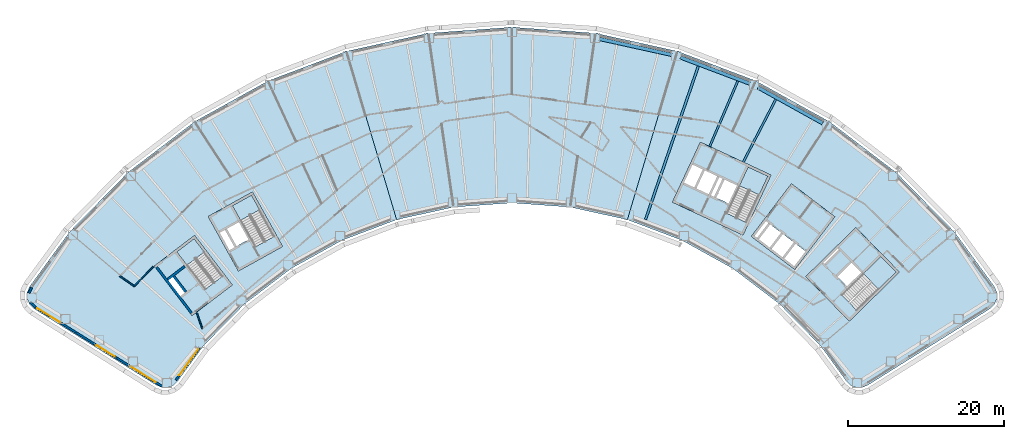
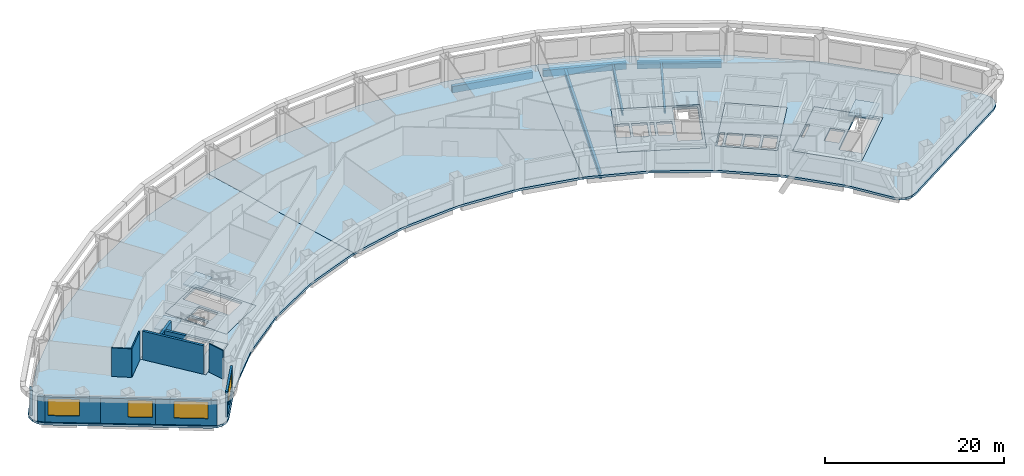
# One storey, part 2 of 10: 12 slabs, 12 walls, 6 beams, 4 windows, 4 openings, 4 elements without a shape of their own.
"""IFC4 building model written with IfcOpenShell, lengths in metres."""

from ifc_helpers import new_model, si_unit, direction, frame, frame_2d, origin, origin_2d, place, context, subcontext, project, spatial, polyline, rectangle, hollow_rectangle, i_section, outline, extrude, material, layer, layer_set, material_profile, profile_set, type_object, element, fill, aggregate, save


model = new_model("IFC4")

# Units and contexts
model_context = context("Model", 3, precision=1e-05, world=origin(), true_north=direction((0.0, 1.0)))
body_context = subcontext(model_context, "Body", "Model", "MODEL_VIEW")
ifc_project = project(units=[si_unit("LENGTHUNIT", "METRE"), si_unit("AREAUNIT", "SQUARE_METRE"), si_unit("VOLUMEUNIT", "CUBIC_METRE"), si_unit("PLANEANGLEUNIT", "RADIAN"), si_unit("MASSUNIT", "GRAM", prefix="KILO")], contexts=[model_context])

# Site, building, storey
site_placement = place(None, origin())
site = spatial("IfcSite", under=ifc_project, at=site_placement, CompositionType="ELEMENT")
building_placement = place(site_placement, origin())
building = spatial("IfcBuilding", under=site, at=building_placement, Name="Tuul Gate Civic Tower", CompositionType="ELEMENT")
storey_placement = place(building_placement, frame((0.0, 0.0, 86.39990234375)))
storey = spatial("IfcBuildingStorey", under=building, at=storey_placement, Name="Level 19", CompositionType="ELEMENT", Elevation=86.39990234375)

# Beams
ifc_material_1 = material(Name="Steel S355", Category="steel")
ifc_material_profile_1 = material_profile(ifc_material_1, i_section(OverallWidth=0.25, OverallDepth=0.64990234375, WebThickness=0.011962890625, FlangeThickness=0.02001953125, at=origin_2d()), Name="PG650x250x12x20")
ifc_profile_set_1 = profile_set([ifc_material_profile_1], Name="Steel S355")
beam_type_1 = type_object("IfcBeamType", Name="STR-FLOOR BEAM-PG650x250x12x20", PredefinedType="BEAM", material=ifc_profile_set_1)
beam_1_placement = place(storey_placement, frame((34.490478515625, 1.98095703125, -0.625), z_axis=(0.460790383982, 0.887508998281, 0.0), x_axis=(-0.887508998281, 0.460790383982, 0.0)))
element("IfcBeam", 1, at=beam_1_placement, inside=storey, type_object=beam_type_1, Name="Floor beam", PredefinedType="BEAM", context=body_context, shape_type="SweptSolid", body=[
    extrude(i_section(OverallWidth=0.25, OverallDepth=0.64990234375, WebThickness=0.011962890625, FlangeThickness=0.02001953125, at=origin_2d()), origin(), (0.0, 0.0, 1.0), 9.064453125),
])
beam_2_placement = place(storey_placement, frame((30.191162109375, 3.98583984375, -0.625), z_axis=(0.394199935174, 0.919024706474, 0.0), x_axis=(-0.919024706474, 0.394199935174, 0.0)))
element("IfcBeam", 2, at=beam_2_placement, inside=storey, type_object=beam_type_1, Name="Floor beam", PredefinedType="BEAM", context=body_context, shape_type="SweptSolid", body=[
    extrude(i_section(OverallWidth=0.25, OverallDepth=0.64990234375, WebThickness=0.011962890625, FlangeThickness=0.02001953125, at=origin_2d()), origin(), (0.0, 0.0, 1.0), 9.1337890625),
])
ifc_material_2 = material(Name="Steel S355", Category="steel")
ifc_material_profile_2 = material_profile(ifc_material_2, i_section(OverallWidth=0.300048828125, OverallDepth=0.800048828125, WebThickness=0.013916015625, FlangeThickness=0.02490234375, at=origin_2d()), Name="PG800x300x14x25")
ifc_profile_set_2 = profile_set([ifc_material_profile_2], Name="Steel S355")
beam_type_2 = type_object("IfcBeamType", Name="STR-FLOOR BEAM-PG800x300x14x25", PredefinedType="BEAM", material=ifc_profile_set_2)
beam_3_placement = place(storey_placement, frame((21.954345703125, -5.380859375, -0.699951171875), z_axis=(0.325483706592, 0.945547649113, 0.0), x_axis=(-0.945547649113, 0.325483706592, 0.0)))
element("IfcBeam", 3, at=beam_3_placement, inside=storey, type_object=beam_type_2, Name="Floor beam", PredefinedType="BEAM", context=body_context, shape_type="SweptSolid", body=[
    extrude(i_section(OverallWidth=0.300048828125, OverallDepth=0.800048828125, WebThickness=0.013916015625, FlangeThickness=0.02490234375, at=origin_2d()), origin(), (0.0, 0.0, 1.0), 20.808837890625),
])
ifc_material_3 = material(Name="Steel S355", Category="steel")
ifc_material_profile_3 = material_profile(ifc_material_3, hollow_rectangle(XDim=0.449951171875, YDim=0.89990234375, WallThickness=0.02490234375, at=origin_2d()), Name="BOX900x450x25")
ifc_profile_set_3 = profile_set([ifc_material_profile_3], Name="Steel S355")
beam_type_3 = type_object("IfcBeamType", Name="STR-SPANDREL BEAM-BOX900x450x25", PredefinedType="BEAM", material=ifc_profile_set_3)
beam_4_placement = place(storey_placement, frame((44.686279296875, 6.974853515625, -0.75), z_axis=(-0.874608888761, 0.484829136604, 0.0), x_axis=(-0.484829136604, -0.874608888761, 0.0)))
element("IfcBeam", 4, at=beam_4_placement, inside=storey, type_object=beam_type_3, Name="Spandrel beam", PredefinedType="BEAM", context=body_context, shape_type="SweptSolid", body=[
    extrude(hollow_rectangle(XDim=0.449951171875, YDim=0.89990234375, WallThickness=0.02490234375, at=origin_2d()), origin(), (0.0, 0.0, 1.0), 9.47802734375),
])
beam_5_placement = place(storey_placement, frame((35.310791015625, 12.0732421875, -0.75), z_axis=(-0.935376104649, 0.353654552993, 0.0), x_axis=(-0.353654552993, -0.935376104649, 0.0)))
element("IfcBeam", 5, at=beam_5_placement, inside=storey, type_object=beam_type_3, Name="Spandrel beam", PredefinedType="BEAM", context=body_context, shape_type="SweptSolid", body=[
    extrude(hollow_rectangle(XDim=0.449951171875, YDim=0.89990234375, WallThickness=0.02490234375, at=origin_2d()), origin(), (0.0, 0.0, 1.0), 9.47705078125),
])
beam_6_placement = place(storey_placement, frame((25.299072265625, 15.76611328125, -0.75), z_axis=(-0.97656320303, 0.215230830708, 0.0), x_axis=(-0.215230830708, -0.97656320303, 0.0)))
element("IfcBeam", 6, at=beam_6_placement, inside=storey, type_object=beam_type_3, Name="Spandrel beam", PredefinedType="BEAM", context=body_context, shape_type="SweptSolid", body=[
    extrude(hollow_rectangle(XDim=0.449951171875, YDim=0.89990234375, WallThickness=0.02490234375, at=origin_2d()), origin(), (0.0, 0.0, 1.0), 9.477294921875),
])

# Slabs
ifc_material_4 = material(Name="Concrete C40/50", Category="concrete")
ifc_layer_1 = layer(ifc_material_4, 0.300048828125)
ifc_layer_set_1 = layer_set([ifc_layer_1], Name="Concrete C40/50")
slab_type_1 = type_object("IfcSlabType", Name="Core floor slab 300", PredefinedType="FLOOR", material=ifc_layer_set_1)
slab_1_placement = place(storey_placement, frame((0.0, 0.0, -0.2998046875)))
element("IfcSlab", 7, at=slab_1_placement, inside=storey, type_object=slab_type_1, Name="FLOOR SLAB", PredefinedType="FLOOR", context=body_context, shape_type="SweptSolid", body=[
    extrude(outline(polyline([(-31.10009765625, -13.7890625), (-35.946044921875, -7.423828125), (-41.11767578125, -11.361572265625), (-36.271484375, -17.726806640625), (-31.10009765625, -13.7890625)]), holes=[polyline([(-37.19287109375, -14.783203125), (-38.737548828125, -12.75439453125), (-39.45361328125, -13.299560546875), (-37.908935546875, -15.328369140625), (-37.19287109375, -14.783203125)]), polyline([(-32.33935546875, -12.65771484375), (-34.56591796875, -14.352783203125), (-38.229736328125, -9.54052734375), (-36.003173828125, -7.845458984375), (-32.33935546875, -12.65771484375)])]), origin(), (0.0, 0.0, 1.0), 0.2998046875),
])
slab_2_placement = place(storey_placement, frame((0.0, 0.0, -0.2998046875)))
element("IfcSlab", 8, at=slab_2_placement, inside=storey, type_object=slab_type_1, Name="FLOOR SLAB", PredefinedType="FLOOR", context=body_context, shape_type="SweptSolid", body=[
    extrude(outline(polyline([(-24.638916015625, -8.846923828125), (-28.51708984375, -1.849853515625), (-34.2021484375, -5.0009765625), (-30.32421875, -11.998046875), (-24.638916015625, -8.846923828125)]), holes=[polyline([(-29.0185546875, -7.958740234375), (-30.254638671875, -5.728515625), (-31.785400390625, -6.576904296875), (-30.54931640625, -8.80712890625), (-29.0185546875, -7.958740234375)]), polyline([(-30.8115234375, -8.95263671875), (-32.047607421875, -6.72216796875), (-32.8349609375, -7.158447265625), (-31.5986328125, -9.388916015625), (-30.8115234375, -8.95263671875)]), polyline([(-25.702392578125, -7.548828125), (-28.14990234375, -8.905517578125), (-31.08203125, -3.615234375), (-28.63427734375, -2.2587890625), (-25.702392578125, -7.548828125)])]), origin(), (0.0, 0.0, 1.0), 0.2998046875),
])
slab_3_placement = place(storey_placement, frame((0.0, 0.0, -0.2998046875)))
element("IfcSlab", 9, at=slab_3_placement, inside=storey, type_object=slab_type_1, Name="FLOOR SLAB", PredefinedType="FLOOR", context=body_context, shape_type="SweptSolid", body=[
    extrude(outline(polyline([(48.117919921875, -18.43310546875), (54.545166015625, -12.1328125), (48.945068359375, -6.419921875), (42.517822265625, -12.719970703125), (48.117919921875, -18.43310546875)]), holes=[polyline([(47.808837890625, -13.974853515625), (49.6298828125, -12.18994140625), (48.40478515625, -10.940185546875), (46.583984375, -12.72509765625), (47.808837890625, -13.974853515625)]), polyline([(44.93896484375, -11.046875), (46.760009765625, -9.261962890625), (46.514892578125, -9.011962890625), (44.69384765625, -10.797119140625), (44.93896484375, -11.046875)]), polyline([(49.086181640625, -17.062744140625), (47.12744140625, -15.064208984375), (52.160888671875, -10.130126953125), (54.11962890625, -12.128662109375), (49.086181640625, -17.062744140625)])]), origin(), (0.0, 0.0, 1.0), 0.2998046875),
])
slab_4_placement = place(storey_placement, frame((0.0, 0.0, -0.2998046875)))
element("IfcSlab", 10, at=slab_4_placement, inside=storey, type_object=slab_type_1, Name="FLOOR SLAB", PredefinedType="FLOOR", context=body_context, shape_type="SweptSolid", body=[
    extrude(outline(polyline([(34.465087890625, -7.385986328125), (38.056884765625, 0.31787109375), (28.993896484375, 4.543701171875), (25.40185546875, -3.159912109375), (34.465087890625, -7.385986328125)]), holes=[polyline([(32.60888671875, -3.32080078125), (33.6865234375, -1.009765625), (32.1005859375, -0.27001953125), (31.02294921875, -2.581298828125), (32.60888671875, -3.32080078125)]), polyline([(30.0712890625, -2.137451171875), (31.14892578125, 0.173583984375), (29.562744140625, 0.9130859375), (28.4853515625, -1.39794921875), (30.0712890625, -2.137451171875)]), polyline([(30.751220703125, -2.454345703125), (31.82861328125, -0.143310546875), (31.4208984375, 0.046875), (30.34326171875, -2.264404296875), (30.751220703125, -2.454345703125)]), polyline([(28.21337890625, -1.27099609375), (29.291015625, 1.0400390625), (27.8408203125, 1.71630859375), (26.76318359375, -0.594970703125), (28.21337890625, -1.27099609375)]), polyline([(34.889892578125, -5.7626953125), (32.353759765625, -4.580078125), (35.120849609375, 1.354736328125), (37.6572265625, 0.17236328125), (34.889892578125, -5.7626953125)])]), origin(), (0.0, 0.0, 1.0), 0.2998046875),
])
ifc_material_5 = material(Name="Concrete C40/50", Category="concrete")
ifc_layer_2 = layer(ifc_material_5, 0.300048828125)
ifc_layer_set_2 = layer_set([ifc_layer_2], Name="Concrete C40/50")
slab_type_2 = type_object("IfcSlabType", Name="Core floor slab 300 non-bearing", PredefinedType="FLOOR", material=ifc_layer_set_2)
slab_5_placement = place(storey_placement, frame((0.0, 0.0, -0.2998046875)))
element("IfcSlab", 11, at=slab_5_placement, inside=storey, type_object=slab_type_2, Name="FLOOR SLAB", PredefinedType="FLOOR", context=body_context, shape_type="SweptSolid", body=[
    extrude(outline(polyline([(41.10107421875, -11.797119140625), (46.25, -5.033935546875), (40.680908203125, -0.79296875), (35.531982421875, -7.555908203125), (41.10107421875, -11.797119140625)]), holes=[polyline([(41.044189453125, -11.37646484375), (42.497802734375, -9.467041015625), (41.22509765625, -8.49755859375), (39.77099609375, -10.4072265625), (41.044189453125, -11.37646484375)]), polyline([(39.532470703125, -10.225341796875), (40.986328125, -8.31591796875), (39.593994140625, -7.255615234375), (38.14013671875, -9.165283203125), (39.532470703125, -10.225341796875)]), polyline([(37.901611328125, -8.9833984375), (39.35546875, -7.073974609375), (37.963134765625, -6.013671875), (36.50927734375, -7.923095703125), (37.901611328125, -8.9833984375)]), polyline([(36.1796875, -7.860595703125), (37.724609375, -5.831787109375), (37.286865234375, -5.49853515625), (35.7421875, -7.527587890625), (36.1796875, -7.860595703125)])]), origin(), (0.0, 0.0, 1.0), 0.2998046875),
])

# Stair, slab
ifc_material_6 = material(Name="Concrete C40/50", Category="concrete")
stair_type = type_object("IfcStairType", Name="Exit stair", PredefinedType="HALF_TURN_STAIR", material=ifc_material_6)
stair_1_placement = place(storey_placement, origin())
stair_1 = element("IfcStair", 12, at=stair_1_placement, inside=storey, type_object=stair_type, Name="Level 19 ST-1", PredefinedType="HALF_TURN_STAIR")
ifc_material_7 = material(Name="Concrete C40/50", Category="concrete")
ifc_layer_3 = layer(ifc_material_7, 0.199951171875)
ifc_layer_set_3 = layer_set([ifc_layer_3], Name="Concrete C40/50")
slab_type_3 = type_object("IfcSlabType", Name="Exit stair landing", PredefinedType="LANDING", material=ifc_layer_set_3)
slab_6_placement = place(storey_placement, frame((0.0, 0.0, 1.900146484375)))
slab_6 = element("IfcSlab", 13, at=slab_6_placement, type_object=slab_type_3, Name="ST-1 landing 1", PredefinedType="LANDING", context=body_context, shape_type="SweptSolid", body=[
    extrude(outline(polyline([(-34.699462890625, -9.554931640625), (-36.9287109375, -11.252197265625), (-38.23193359375, -9.540283203125), (-36.0029296875, -7.843017578125), (-34.699462890625, -9.554931640625)])), origin(), (0.0, 0.0, 1.0), 0.199951171875),
])
aggregate(stair_1, [slab_6])

stair_2_placement = place(storey_placement, origin())
stair_2 = element("IfcStair", 14, at=stair_2_placement, inside=storey, type_object=stair_type, Name="Level 19 ST-2", PredefinedType="HALF_TURN_STAIR")
slab_7_placement = place(storey_placement, frame((0.0, 0.0, 1.900146484375)))
slab_7 = element("IfcSlab", 15, at=slab_7_placement, type_object=slab_type_3, Name="ST-2 landing 1", PredefinedType="LANDING", context=body_context, shape_type="SweptSolid", body=[
    extrude(outline(polyline([(-27.5908203125, -4.138427734375), (-30.041015625, -5.49658203125), (-31.084228515625, -3.61474609375), (-28.6337890625, -2.256591796875), (-27.5908203125, -4.138427734375)])), origin(), (0.0, 0.0, 1.0), 0.199951171875),
])
aggregate(stair_2, [slab_7])

stair_3_placement = place(storey_placement, origin())
stair_3 = element("IfcStair", 16, at=stair_3_placement, inside=storey, type_object=stair_type, Name="Level 19 ST-3", PredefinedType="HALF_TURN_STAIR")
slab_8_placement = place(storey_placement, frame((0.0, 0.0, 1.900146484375)))
slab_8 = element("IfcSlab", 17, at=slab_8_placement, type_object=slab_type_3, Name="ST-3 landing 1", PredefinedType="LANDING", context=body_context, shape_type="SweptSolid", body=[
    extrude(outline(polyline([(51.871337890625, -14.3349609375), (49.91015625, -12.334228515625), (52.160888671875, -10.1279296875), (54.1220703125, -12.128662109375), (51.871337890625, -14.3349609375)])), origin(), (0.0, 0.0, 1.0), 0.199951171875),
])
aggregate(stair_3, [slab_8])

stair_4_placement = place(storey_placement, origin())
stair_4 = element("IfcStair", 18, at=stair_4_placement, inside=storey, type_object=stair_type, Name="Level 19 ST-4", PredefinedType="HALF_TURN_STAIR")
slab_9_placement = place(storey_placement, frame((0.0, 0.0, 1.900146484375)))
slab_9 = element("IfcSlab", 19, at=slab_9_placement, type_object=slab_type_3, Name="ST-4 landing 1", PredefinedType="LANDING", context=body_context, shape_type="SweptSolid", body=[
    extrude(outline(polyline([(36.538818359375, -2.230224609375), (33.999755859375, -1.046142578125), (35.1201171875, 1.35693359375), (37.659423828125, 0.173095703125), (36.538818359375, -2.230224609375)])), origin(), (0.0, 0.0, 1.0), 0.199951171875),
])
aggregate(stair_4, [slab_9])

# Slabs
ifc_material_8 = material(Name="Concrete C35/45", Category="concrete")
ifc_layer_4 = layer(ifc_material_8, 0.300048828125)
ifc_layer_set_4 = layer_set([ifc_layer_4], Name="Concrete C35/45")
slab_type_4 = type_object("IfcSlabType", Name="STR-FLOOR-SLAB-300", PredefinedType="FLOOR", material=ifc_layer_set_4)
slab_10_placement = place(storey_placement, frame((0.0, 0.0, -0.2998046875)))
element("IfcSlab", 20, at=slab_10_placement, inside=storey, type_object=slab_type_4, Name="Level 19/slab/W", PredefinedType="FLOOR", context=body_context, shape_type="SweptSolid", body=[
    extrude(outline(polyline([(-10.006103515625, -5.407958984375), (-16.43994140625, 16.214111328125), (-26.508056640625, 12.406982421875), (-35.923095703125, 7.18798828125), (-44.487060546875, 0.6669921875), (-52.02294921875, -7.02001953125), (-57.10302734375, -13.97607421875), (-57.43994140625, -14.718994140625), (-57.451904296875, -15.534912109375), (-57.136962890625, -16.2880859375), (-56.548095703125, -16.85205078125), (-40.818115234375, -26.680908203125), (-40.1240234375, -26.950927734375), (-39.37890625, -26.948974609375), (-38.68701171875, -26.674072265625), (-38.14306640625, -26.1650390625), (-34.81396484375, -21.60693359375), (-29.56005859375, -16.2470703125), (-23.589111328125, -11.700927734375), (-17.02490234375, -8.06298828125), (-10.006103515625, -5.407958984375)]), holes=[polyline([(-31.10009765625, -13.7890625), (-36.27197265625, -17.72705078125), (-41.117919921875, -11.362060546875), (-35.946044921875, -7.424072265625), (-31.10009765625, -13.7890625)]), polyline([(-24.638916015625, -8.846923828125), (-30.323974609375, -11.998046875), (-34.201904296875, -5.0009765625), (-28.51708984375, -1.85009765625), (-24.638916015625, -8.846923828125)])]), origin(), (0.0, 0.0, 1.0), 0.2998046875),
])
slab_11_placement = place(storey_placement, frame((0.0, 0.0, -0.2998046875)))
element("IfcSlab", 21, at=slab_11_placement, inside=storey, type_object=slab_type_4, Name="Level 19/slab/M", PredefinedType="FLOOR", context=body_context, shape_type="SweptSolid", body=[
    extrude(outline(polyline([(19.6220703125, -5.407958984375), (26.055908203125, 16.214111328125), (15.5439453125, 18.531005859375), (4.80810546875, 19.30810546875), (-5.927978515625, 18.531005859375), (-16.43994140625, 16.214111328125), (-10.006103515625, -5.407958984375), (-2.677001953125, -3.79296875), (4.80810546875, -3.2509765625), (12.29296875, -3.79296875), (19.6220703125, -5.407958984375)])), origin(), (0.0, 0.0, 1.0), 0.2998046875),
])
slab_12_placement = place(storey_placement, frame((0.0, 0.0, -0.2998046875)))
element("IfcSlab", 22, at=slab_12_placement, inside=storey, type_object=slab_type_4, Name="Level 19/slab/E", PredefinedType="FLOOR", context=body_context, shape_type="SweptSolid", body=[
    extrude(outline(polyline([(49.739990234375, -26.950927734375), (50.43408203125, -26.680908203125), (66.1640625, -16.85205078125), (66.75390625, -16.2880859375), (67.068115234375, -15.534912109375), (67.055908203125, -14.718994140625), (66.719970703125, -13.97607421875), (61.638916015625, -7.02001953125), (54.10400390625, 0.6669921875), (45.5400390625, 7.18798828125), (36.125, 12.406982421875), (26.055908203125, 16.214111328125), (19.6220703125, -5.407958984375), (26.64208984375, -8.06298828125), (33.2060546875, -11.700927734375), (39.177001953125, -16.2470703125), (44.429931640625, -21.60693359375), (47.760009765625, -26.1650390625), (48.302978515625, -26.674072265625), (48.9951171875, -26.948974609375), (49.739990234375, -26.950927734375)]), holes=[polyline([(48.117919921875, -18.43310546875), (42.51806640625, -12.719970703125), (48.945068359375, -6.419921875), (54.544921875, -12.133056640625), (48.117919921875, -18.43310546875)]), polyline([(35.531982421875, -7.555908203125), (40.680908203125, -0.79296875), (46.25, -5.033935546875), (41.10107421875, -11.797119140625), (35.531982421875, -7.555908203125)]), polyline([(25.402099609375, -3.159912109375), (28.993896484375, 4.5439453125), (38.056884765625, 0.318115234375), (34.465087890625, -7.385986328125), (25.402099609375, -3.159912109375)])]), origin(), (0.0, 0.0, 1.0), 0.2998046875),
])

# Walls
ifc_material_9 = material(Name="Concrete C50/60", Category="concrete")
ifc_layer_5 = layer(ifc_material_9, 0.300048828125)
ifc_layer_set_5 = layer_set([ifc_layer_5], Name="Concrete C50/60")
wall_type_1 = type_object("IfcWallType", Name="Core wall C50/60", PredefinedType="SHEAR", material=ifc_layer_set_5)
wall_1_placement = place(storey_placement, frame((-37.197509765625, -11.39306640625, 0.0), z_axis=(0.0, 0.0, 1.0), x_axis=(-0.795583820278, -0.605843531707, 0.0)))
element("IfcWall", 23, at=wall_1_placement, inside=storey, type_object=wall_type_1, Name="Core wall", PredefinedType="SHEAR", context=body_context, shape_type="SweptSolid", body=[
    extrude(rectangle(XDim=2.7998046875, YDim=0.300048828125, at=frame_2d((1.39990234375, 0.0))), origin(), (0.0, 0.0, 1.0), 3.900146484375),
])
wall_2_placement = place(storey_placement, frame((-37.073486328125, -14.6923828125, 0.0), z_axis=(0.0, 0.0, 1.0), x_axis=(-0.605728760074, 0.79567120673, 0.0)))
element("IfcWall", 24, at=wall_2_placement, inside=storey, type_object=wall_type_1, Name="Core wall", PredefinedType="SHEAR", context=body_context, shape_type="SweptSolid", body=[
    extrude(rectangle(XDim=2.550048828125, YDim=0.300048828125, at=frame_2d((1.27490234375, 0.0))), origin(), (0.0, 0.0, 1.0), 3.900146484375),
])
wall_3_placement = place(storey_placement, frame((-36.333984375, -17.397216796875, 0.0), z_axis=(0.0, 0.0, 1.0), x_axis=(-0.605753921168, 0.795652051458, 0.0)))
element("IfcWall", 25, at=wall_3_placement, inside=storey, type_object=wall_type_1, Name="Core wall", PredefinedType="SHEAR", context=body_context, shape_type="SweptSolid", body=[
    extrude(rectangle(XDim=7.400146484375, YDim=0.300048828125, at=frame_2d((3.7001953125, 0.0))), origin(), (0.0, 0.0, 1.0), 3.900146484375),
])
ifc_material_10 = material(Name="Gypsum board partition")
ifc_layer_6 = layer(ifc_material_10, 0.14990234375)
ifc_layer_set_6 = layer_set([ifc_layer_6], Name="Gypsum board partition")
wall_type_2 = type_object("IfcWallType", Name="Corridor wall P150", PredefinedType="PARTITIONING", material=ifc_layer_set_6)
wall_4_placement = place(storey_placement, frame((-45.54443359375, -12.64697265625, 0.0), z_axis=(0.0, 0.0, 1.0), x_axis=(0.819180943758, -0.573535161418, 0.0)))
element("IfcWall", 26, at=wall_4_placement, inside=storey, type_object=wall_type_2, Name="p045", PredefinedType="PARTITIONING", context=body_context, shape_type="SweptSolid", body=[
    extrude(rectangle(XDim=2.250244140625, YDim=0.14990234375, at=frame_2d((1.125, 0.0))), origin(), (0.0, 0.0, 1.0), 3.900146484375),
])
wall_5_placement = place(storey_placement, frame((-43.701171875, -13.9375, 0.0), z_axis=(0.0, 0.0, 1.0), x_axis=(0.701295332975, 0.712870855027, 0.0)))
element("IfcWall", 27, at=wall_5_placement, inside=storey, type_object=wall_type_2, Name="p046", PredefinedType="PARTITIONING", context=body_context, shape_type="SweptSolid", body=[
    extrude(rectangle(XDim=3.501220703125, YDim=0.14990234375, at=frame_2d((1.75048828125, 0.0))), origin(), (0.0, 0.0, 1.0), 3.900146484375),
])
wall_6_placement = place(storey_placement, frame((-35.6328125, -17.428955078125, 0.0), z_axis=(0.0, 0.0, 1.0), x_axis=(0.324279119185, -0.945961443644, 0.0)))
element("IfcWall", 28, at=wall_6_placement, inside=storey, type_object=wall_type_2, Name="p047", PredefinedType="PARTITIONING", context=body_context, shape_type="SweptSolid", body=[
    extrude(rectangle(XDim=2.071044921875, YDim=0.14990234375, at=frame_2d((1.03564453125, 0.0))), origin(), (0.0, 0.0, 1.0), 3.900146484375),
])
ifc_material_11 = material(Name="Precast concrete C40/50", Category="concrete")
ifc_layer_7 = layer(ifc_material_11, 0.25)
ifc_layer_set_7 = layer_set([ifc_layer_7], Name="Precast concrete C40/50")
wall_type_3 = type_object("IfcWallType", Name="External wall", PredefinedType="STANDARD", material=ifc_layer_set_7)
wall_7_placement = place(storey_placement, frame((-56.8681640625, -14.116455078125, 0.0), z_axis=(0.0, 0.0, 1.0), x_axis=(-0.412280175097, -0.911057109748, 0.0)))
element("IfcWall", 29, at=wall_7_placement, inside=storey, type_object=wall_type_3, Name="External wall", PredefinedType="STANDARD", context=body_context, shape_type="SweptSolid", body=[
    extrude(rectangle(XDim=0.7734375, YDim=0.25, at=frame_2d((0.38671875, 0.0))), origin(), (0.0, 0.0, 1.0), 3.4501953125),
])
wall_8_placement = place(storey_placement, frame((-57.022216796875, -16.02099609375, 0.0), z_axis=(0.0, 0.0, 1.0), x_axis=(0.722079843393, -0.691809728007, 0.0)))
element("IfcWall", 30, at=wall_8_placement, inside=storey, type_object=wall_type_3, Name="External wall", PredefinedType="STANDARD", context=body_context, shape_type="SweptSolid", body=[
    extrude(rectangle(XDim=0.88720703125, YDim=0.25, at=frame_2d((0.443603515625, 0.0))), origin(), (0.0, 0.0, 1.0), 3.4501953125),
])

# Wall, opening, window
wall_9_placement = place(storey_placement, frame((-56.40185546875, -16.618896484375, 0.0), z_axis=(0.0, 0.0, 1.0), x_axis=(0.848053758074, -0.529910203164, 0.0)))
wall_9 = element("IfcWall", 31, at=wall_9_placement, inside=storey, type_object=wall_type_3, Name="External wall", PredefinedType="STANDARD", context=body_context, shape_type="SweptSolid", body=[
    extrude(rectangle(XDim=6.182861328125, YDim=0.25, at=frame_2d((3.09130859375, 0.0))), origin(), (0.0, 0.0, 1.0), 3.4501953125),
])
opening_1_placement = place(wall_9_placement, frame((0.319091796875, 0.0, 0.89990234375)))
opening_1 = element("IfcOpeningElement", 32, at=opening_1_placement, cuts=wall_9, Name="Opening W74", PredefinedType="OPENING", context=body_context, shape_type="SweptSolid", body=[
    extrude(rectangle(XDim=3.5, YDim=2.300048828125, at=frame_2d((1.75, 1.14990234375))), frame((0.0, 0.135009765625, 0.0), z_axis=(0.0, -1.0, 0.0), x_axis=(1.0, 0.0, 0.0)), (0.0, 0.0, 1.0), 0.27001953125),
])
ifc_material_12 = material(Name="Glass", Category="glass")
window_type_1 = type_object("IfcWindowType", Name="Window 3500 x 2300", PartitioningType="SINGLE_PANEL", PredefinedType="WINDOW", material=ifc_material_12)
window_1_placement = place(opening_1_placement, origin())
window_1 = element("IfcWindow", 33, at=window_1_placement, inside=storey, type_object=window_type_1, Name="Window", OverallHeight=2.300048828125, OverallWidth=3.5, PartitioningType="SINGLE_PANEL", PredefinedType="WINDOW", context=body_context, shape_type="SweptSolid", body=[
    extrude(rectangle(XDim=3.5, YDim=2.300048828125, at=frame_2d((1.75, 1.14990234375))), frame((0.0, 0.030029296875, 0.0), z_axis=(0.0, -1.0, 0.0), x_axis=(1.0, 0.0, 0.0)), (0.0, 0.0, 1.0), 0.06005859375),
])
fill(opening_1, window_1)

wall_10_placement = place(storey_placement, frame((-51.158447265625, -19.895263671875, 0.0), z_axis=(0.0, 0.0, 1.0), x_axis=(0.848053758074, -0.529910203164, 0.0)))
wall_10 = element("IfcWall", 34, at=wall_10_placement, inside=storey, type_object=wall_type_3, Name="External wall", PredefinedType="STANDARD", context=body_context, shape_type="SweptSolid", body=[
    extrude(rectangle(XDim=6.182861328125, YDim=0.25, at=frame_2d((3.09130859375, 0.0))), origin(), (0.0, 0.0, 1.0), 3.4501953125),
])
opening_2_placement = place(wall_10_placement, frame((3.10302734375, 0.0, 0.89990234375)))
opening_2 = element("IfcOpeningElement", 35, at=opening_2_placement, cuts=wall_10, Name="Opening W30", PredefinedType="OPENING", context=body_context, shape_type="SweptSolid", body=[
    extrude(rectangle(XDim=2.75, YDim=2.300048828125, at=frame_2d((1.375, 1.14990234375))), frame((0.0, 0.135009765625, 0.0), z_axis=(0.0, -1.0, 0.0), x_axis=(1.0, 0.0, 0.0)), (0.0, 0.0, 1.0), 0.27001953125),
])
ifc_material_13 = material(Name="Glass", Category="glass")
window_type_2 = type_object("IfcWindowType", Name="Window 2750 x 2300", PartitioningType="SINGLE_PANEL", PredefinedType="WINDOW", material=ifc_material_13)
window_2_placement = place(opening_2_placement, origin())
window_2 = element("IfcWindow", 36, at=window_2_placement, inside=storey, type_object=window_type_2, Name="Window", OverallHeight=2.300048828125, OverallWidth=2.75, PartitioningType="SINGLE_PANEL", PredefinedType="WINDOW", context=body_context, shape_type="SweptSolid", body=[
    extrude(rectangle(XDim=2.75, YDim=2.300048828125, at=frame_2d((1.375, 1.14990234375))), frame((0.0, 0.030029296875, 0.0), z_axis=(0.0, -1.0, 0.0), x_axis=(1.0, 0.0, 0.0)), (0.0, 0.0, 1.0), 0.06005859375),
])
fill(opening_2, window_2)

wall_11_placement = place(storey_placement, frame((-45.9150390625, -23.171630859375, 0.0), z_axis=(0.0, 0.0, 1.0), x_axis=(0.848052242305, -0.529912628951, 0.0)))
wall_11 = element("IfcWall", 37, at=wall_11_placement, inside=storey, type_object=wall_type_3, Name="External wall", PredefinedType="STANDARD", context=body_context, shape_type="SweptSolid", body=[
    extrude(rectangle(XDim=6.865234375, YDim=0.25, at=frame_2d((3.4326171875, 0.0))), origin(), (0.0, 0.0, 1.0), 3.4501953125),
])
opening_3_placement = place(wall_11_placement, frame((2.06591796875, 0.0, 0.89990234375)))
opening_3 = element("IfcOpeningElement", 38, at=opening_3_placement, cuts=wall_11, Name="Opening W100", PredefinedType="OPENING", context=body_context, shape_type="SweptSolid", body=[
    extrude(rectangle(XDim=3.800048828125, YDim=2.300048828125, at=frame_2d((1.89990234375, 1.14990234375))), frame((0.0, 0.135009765625, 0.0), z_axis=(0.0, -1.0, 0.0), x_axis=(1.0, 0.0, 0.0)), (0.0, 0.0, 1.0), 0.27001953125),
])
ifc_material_14 = material(Name="Glass", Category="glass")
window_type_3 = type_object("IfcWindowType", Name="Window W100 3800 x 2300", PartitioningType="SINGLE_PANEL", PredefinedType="WINDOW", material=ifc_material_14)
window_3_placement = place(opening_3_placement, origin())
window_3 = element("IfcWindow", 39, at=window_3_placement, inside=storey, type_object=window_type_3, Name="Window", OverallHeight=2.300048828125, OverallWidth=3.800048828125, PartitioningType="SINGLE_PANEL", PredefinedType="WINDOW", context=body_context, shape_type="SweptSolid", body=[
    extrude(rectangle(XDim=3.800048828125, YDim=2.300048828125, at=frame_2d((1.89990234375, 1.14990234375))), frame((0.0, 0.030029296875, 0.0), z_axis=(0.0, -1.0, 0.0), x_axis=(1.0, 0.0, 0.0)), (0.0, 0.0, 1.0), 0.06005859375),
])
fill(opening_3, window_3)

wall_12_placement = place(storey_placement, frame((-38.364990234375, -26.002197265625, 0.0), z_axis=(0.0, 0.0, 1.0), x_axis=(0.589773184558, 0.807568938715, 0.0)))
wall_12 = element("IfcWall", 40, at=wall_12_placement, inside=storey, type_object=wall_type_3, Name="External wall", PredefinedType="STANDARD", context=body_context, shape_type="SweptSolid", body=[
    extrude(rectangle(XDim=5.18115234375, YDim=0.25, at=frame_2d((2.590576171875, 0.0))), origin(), (0.0, 0.0, 1.0), 3.4501953125),
])
opening_4_placement = place(wall_12_placement, frame((0.75244140625, 0.0, 0.89990234375)))
opening_4 = element("IfcOpeningElement", 41, at=opening_4_placement, cuts=wall_12, Name="Opening W25", PredefinedType="OPENING", context=body_context, shape_type="SweptSolid", body=[
    extrude(rectangle(XDim=4.14990234375, YDim=2.300048828125, at=frame_2d((2.074951171875, 1.14990234375))), frame((0.0, 0.135009765625, 0.0), z_axis=(0.0, -1.0, 0.0), x_axis=(1.0, 0.0, 0.0)), (0.0, 0.0, 1.0), 0.27001953125),
])
ifc_material_15 = material(Name="Glass", Category="glass")
window_type_4 = type_object("IfcWindowType", Name="Window W25 4150 x 2300", PartitioningType="SINGLE_PANEL", PredefinedType="WINDOW", material=ifc_material_15)
window_4_placement = place(opening_4_placement, origin())
window_4 = element("IfcWindow", 42, at=window_4_placement, inside=storey, type_object=window_type_4, Name="Window", OverallHeight=2.300048828125, OverallWidth=4.14990234375, PartitioningType="SINGLE_PANEL", PredefinedType="WINDOW", context=body_context, shape_type="SweptSolid", body=[
    extrude(rectangle(XDim=4.14990234375, YDim=2.300048828125, at=frame_2d((2.074951171875, 1.14990234375))), frame((0.0, 0.030029296875, 0.0), z_axis=(0.0, -1.0, 0.0), x_axis=(1.0, 0.0, 0.0)), (0.0, 0.0, 1.0), 0.06005859375),
])
fill(opening_4, window_4)

save(model, "model.ifc")
